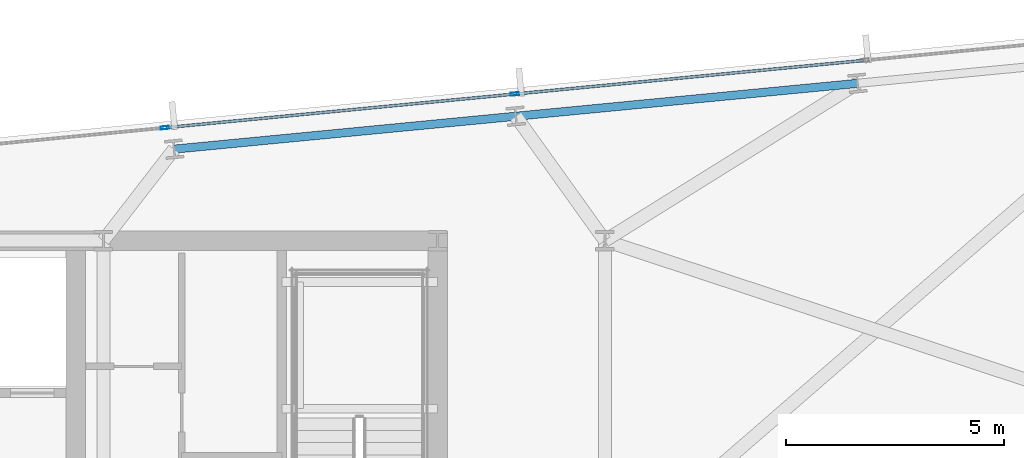
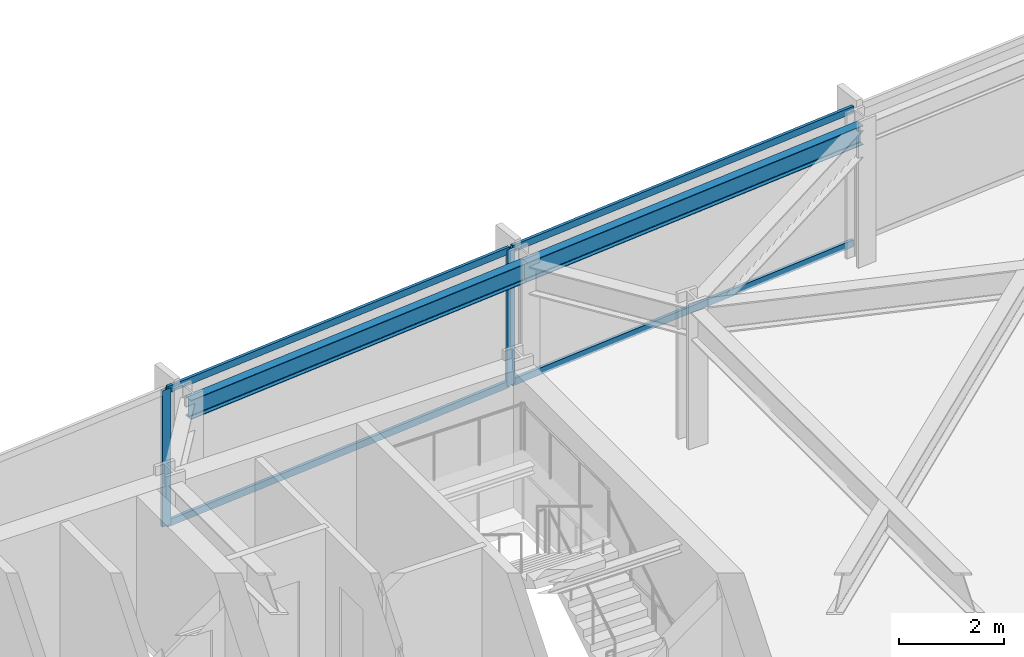
# One storey, part 21 of 32: 6 members, 2 beams, 1 element without a shape of its own.
"""IFC4 building model written with IfcOpenShell, lengths in metres."""

from ifc_helpers import new_model, si_unit, direction, frame, origin, origin_2d, place, context, subcontext, project, spatial, hollow_rectangle, i_section, extrude, material, material_profile, profile_set, type_object, element, aggregate, save


model = new_model("IFC4")

# Units and contexts
model_context = context("Model", 3, precision=1e-05, world=origin(), true_north=direction((0.0, 1.0)))
body_context = subcontext(model_context, "Body", "Model", "MODEL_VIEW")
ifc_project = project(units=[si_unit("LENGTHUNIT", "METRE"), si_unit("AREAUNIT", "SQUARE_METRE"), si_unit("VOLUMEUNIT", "CUBIC_METRE"), si_unit("PLANEANGLEUNIT", "RADIAN"), si_unit("MASSUNIT", "GRAM", prefix="KILO")], contexts=[model_context])

# Site, building, storey
site_placement = place(None, origin())
site = spatial("IfcSite", under=ifc_project, at=site_placement, CompositionType="ELEMENT")
building_placement = place(site_placement, origin())
building = spatial("IfcBuilding", under=site, at=building_placement, Name="Yelkora Congress Tower", CompositionType="ELEMENT")
storey_placement = place(building_placement, frame((0.0, 0.0, 116.89990234375)))
storey = spatial("IfcBuildingStorey", under=building, at=storey_placement, Name="L31", CompositionType="ELEMENT", Elevation=116.89990234375)

# Beams
ifc_material_1 = material(Name="Steel S355J2", Category="steel")
ifc_material_profile_1 = material_profile(ifc_material_1, i_section(OverallWidth=0.18994140625, OverallDepth=0.449951171875, WebThickness=0.009521484375, FlangeThickness=0.0146484375, FilletRadius=0.02099609375, at=origin_2d()), Name="IPE 450")
ifc_profile_set_1 = profile_set([ifc_material_profile_1], Name="Steel S355J2")
beam_type = type_object("IfcBeamType", Name="BM-SPAN-IPE450", PredefinedType="SPANDREL", material=ifc_profile_set_1)
for number, where, z_axis, x_axis, name in (
    (1, (63.4033203125, 49.81201171875, 2.955078125), (-0.995398529126, -0.09582154358, 0.0), (0.09582154358, -0.995398529126, 0.0), "L31 Perimeter Beam 15"),
    (2, (55.553955078125, 49.056396484375, 2.955078125), (-0.995395575667, -0.095852219286, 0.0), (0.095852219286, -0.995395575667, 0.0), "L31 Perimeter Beam 16"),
):
    element("IfcBeam", number, at=place(storey_placement, frame(where, z_axis=z_axis, x_axis=x_axis)), inside=storey, type_object=beam_type, Name=name, PredefinedType="SPANDREL", context=body_context, shape_type="SweptSolid", body=[
        extrude(i_section(OverallWidth=0.18994140625, OverallDepth=0.449951171875, WebThickness=0.009521484375, FlangeThickness=0.0146484375, FilletRadius=0.02099609375, at=origin_2d()), origin(), (0.0, 0.0, 1.0), 7.8857421875),
    ])

# Curtain wall, members
ifc_material_2 = material(Name="Anodised aluminium and insulated glass", Category="aluminium")
curtain_wall_type = type_object("IfcCurtainWallType", Name="CW-SYS-B2", PredefinedType="NOTDEFINED", material=ifc_material_2)
curtain_wall_placement = place(storey_placement, origin())
curtain_wall = element("IfcCurtainWall", 3, at=curtain_wall_placement, inside=storey, type_object=curtain_wall_type, Name="L31 Unitised Curtain Wall 10 (3)", PredefinedType="NOTDEFINED")
ifc_material_3 = material(Name="Anodised aluminium 6063-T6", Category="aluminium")
ifc_material_profile_2 = material_profile(ifc_material_3, hollow_rectangle(XDim=0.070068359375, YDim=0.18994140625, WallThickness=0.00390625, at=origin_2d()), Name="ALU 70x190x4")
ifc_profile_set_2 = profile_set([ifc_material_profile_2], Name="Anodised aluminium 6063-T6")
member_type_1 = type_object("IfcMemberType", Name="MEM-ML-B2", PredefinedType="MULLION", material=ifc_profile_set_2)
member_1_placement = place(storey_placement, frame((47.491943359375, 48.79248046875, 0.0), z_axis=(0.0, 0.0, 1.0), x_axis=(-0.095844238468, 0.995396344153, 0.0)))
member_1 = element("IfcMember", 4, at=member_1_placement, type_object=member_type_1, Name="CW-B2 mullion 4", PredefinedType="MULLION", context=body_context, shape_type="SweptSolid", body=[
    extrude(hollow_rectangle(XDim=0.070068359375, YDim=0.18994140625, WallThickness=0.00390625, at=origin_2d()), origin(), (0.0, 0.0, 1.0), 3.18017578125),
])
member_2_placement = place(storey_placement, frame((55.531982421875, 49.566650390625, 0.0), z_axis=(0.0, 0.0, 1.0), x_axis=(-0.095844238468, 0.995396344153, 0.0)))
member_2 = element("IfcMember", 5, at=member_2_placement, type_object=member_type_1, Name="CW-B2 mullion 5", PredefinedType="MULLION", context=body_context, shape_type="SweptSolid", body=[
    extrude(hollow_rectangle(XDim=0.070068359375, YDim=0.18994140625, WallThickness=0.00390625, at=origin_2d()), origin(), (0.0, 0.0, 1.0), 3.18017578125),
])
ifc_material_profile_3 = material_profile(ifc_material_3, hollow_rectangle(XDim=0.06494140625, YDim=0.159912109375, WallThickness=0.00390625, at=origin_2d()), Name="ALU 65x160x4")
ifc_profile_set_3 = profile_set([ifc_material_profile_3], Name="Anodised aluminium 6063-T6")
member_type_2 = type_object("IfcMemberType", Name="MEM-TR-B2", PredefinedType="USERDEFINED", material=ifc_profile_set_3)
member_3_placement = place(storey_placement, frame((47.52685546875, 48.7958984375, 0.03271484375), z_axis=(0.995397513894, 0.095832089266, 0.0), x_axis=(-0.095832089266, 0.995397513894, 0.0)))
member_3 = element("IfcMember", 6, at=member_3_placement, type_object=member_type_2, Name="CW-B2 transom 4.1", ObjectType="TRANSOM", PredefinedType="USERDEFINED", context=body_context, shape_type="SweptSolid", body=[
    extrude(hollow_rectangle(XDim=0.06494140625, YDim=0.159912109375, WallThickness=0.00390625, at=origin_2d()), origin(), (0.0, 0.0, 1.0), 8.007080078125),
])
member_4_placement = place(storey_placement, frame((47.52685546875, 48.7958984375, 3.147705078125), z_axis=(0.995397513894, 0.095832089266, 0.0), x_axis=(-0.095832089266, 0.995397513894, 0.0)))
member_4 = element("IfcMember", 7, at=member_4_placement, type_object=member_type_2, Name="CW-B2 transom 4.2", ObjectType="TRANSOM", PredefinedType="USERDEFINED", context=body_context, shape_type="SweptSolid", body=[
    extrude(hollow_rectangle(XDim=0.06494140625, YDim=0.159912109375, WallThickness=0.00390625, at=origin_2d()), origin(), (0.0, 0.0, 1.0), 8.007080078125),
])
member_5_placement = place(storey_placement, frame((55.566650390625, 49.570068359375, 0.03271484375), z_axis=(0.995397793901, 0.09582918082, 0.0), x_axis=(-0.09582918082, 0.995397793901, 0.0)))
member_5 = element("IfcMember", 8, at=member_5_placement, type_object=member_type_2, Name="CW-B2 transom 5.1", ObjectType="TRANSOM", PredefinedType="USERDEFINED", context=body_context, shape_type="SweptSolid", body=[
    extrude(hollow_rectangle(XDim=0.06494140625, YDim=0.159912109375, WallThickness=0.00390625, at=origin_2d()), origin(), (0.0, 0.0, 1.0), 8.00732421875),
])
member_6_placement = place(storey_placement, frame((55.566650390625, 49.570068359375, 3.147705078125), z_axis=(0.995397793901, 0.09582918082, 0.0), x_axis=(-0.09582918082, 0.995397793901, 0.0)))
member_6 = element("IfcMember", 9, at=member_6_placement, type_object=member_type_2, Name="CW-B2 transom 5.2", ObjectType="TRANSOM", PredefinedType="USERDEFINED", context=body_context, shape_type="SweptSolid", body=[
    extrude(hollow_rectangle(XDim=0.06494140625, YDim=0.159912109375, WallThickness=0.00390625, at=origin_2d()), origin(), (0.0, 0.0, 1.0), 8.00732421875),
])
aggregate(curtain_wall, [member_1, member_2, member_3, member_4, member_5, member_6])

save(model, "model.ifc")
